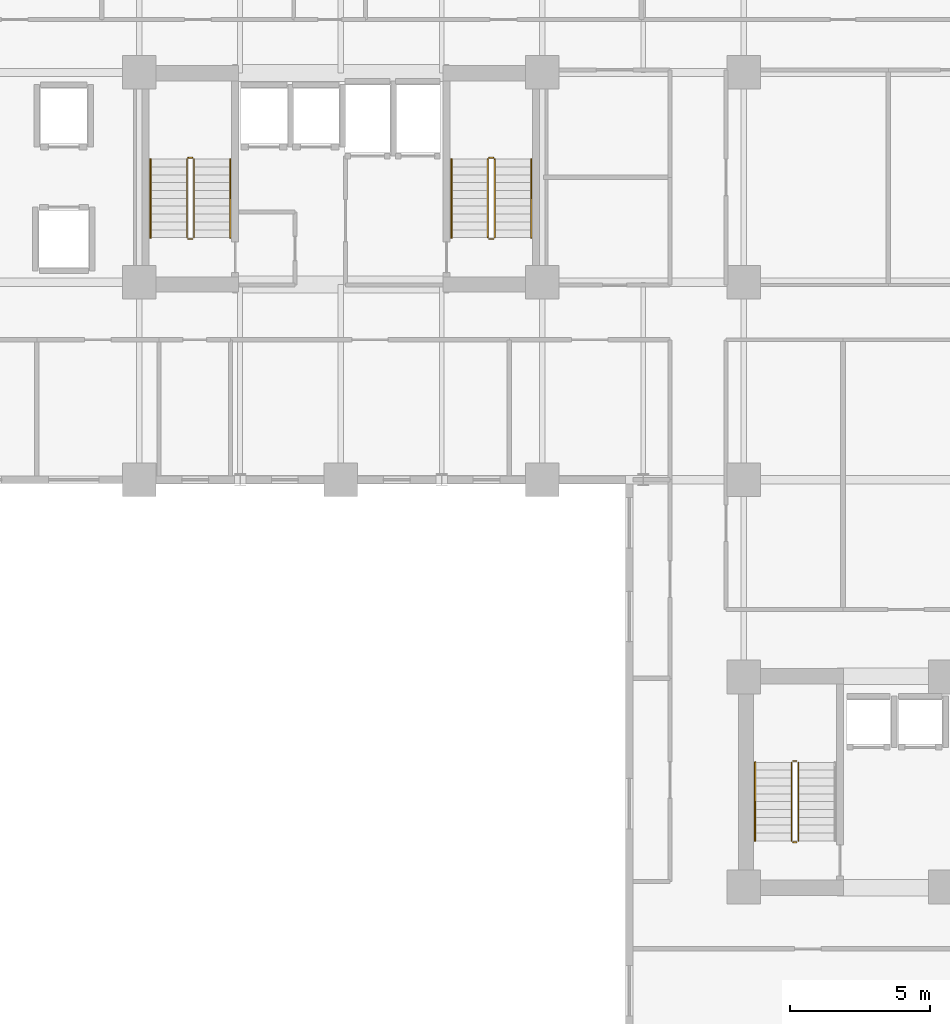
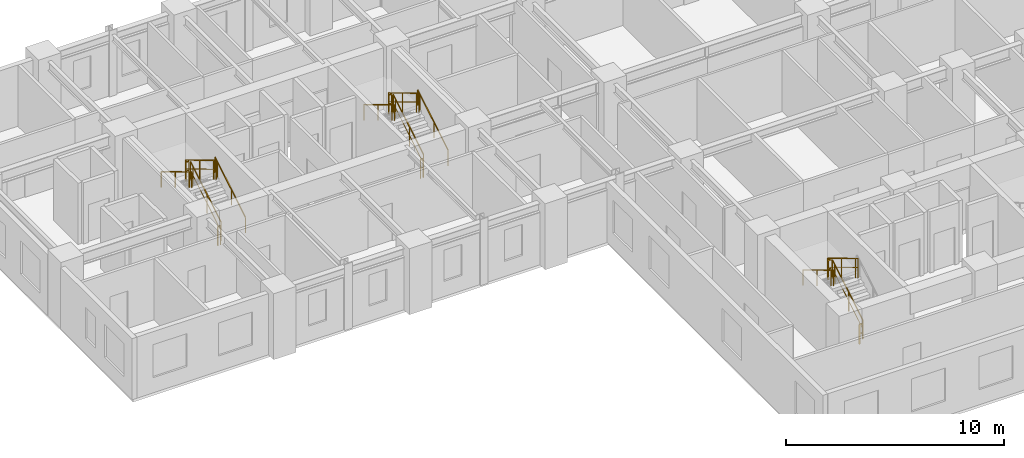
# One storey, part 9 of 11: 17 railings.
"""IFC4 building model written with IfcOpenShell, lengths in metres."""

from ifc_helpers import new_model, si_unit, direction, frame, origin, origin_2d, place, context, subcontext, project, spatial, rectangle, extrude, material, type_object, element, save


model = new_model("IFC4")

# Units and contexts
model_context = context("Model", 3, precision=1e-05, world=origin(), true_north=direction((0.0, 1.0)))
body_context = subcontext(model_context, "Body", "Model", "MODEL_VIEW")
ifc_project = project(units=[si_unit("LENGTHUNIT", "METRE"), si_unit("AREAUNIT", "SQUARE_METRE"), si_unit("VOLUMEUNIT", "CUBIC_METRE"), si_unit("PLANEANGLEUNIT", "RADIAN"), si_unit("MASSUNIT", "GRAM", prefix="KILO")], contexts=[model_context])

# Site, building, storey
site_placement = place(None, origin())
site = spatial("IfcSite", under=ifc_project, at=site_placement, CompositionType="ELEMENT")
building_placement = place(site_placement, origin())
building = spatial("IfcBuilding", under=site, at=building_placement, Name="Kaliganga Portal Commons", CompositionType="ELEMENT")
storey_placement = place(building_placement, frame((0.0, 0.0, 86.0)))
storey = spatial("IfcBuildingStorey", under=building, at=storey_placement, Name="L21", CompositionType="ELEMENT", Elevation=86.0)

# Railings
ifc_material_1 = material(Name="Galvanized Painted Steel Balustrade", Category="steel")
railing_type_1 = type_object("IfcRailingType", Name="RLG-STAIR-GRD", PredefinedType="GUARDRAIL", material=ifc_material_1)
railing_1_placement = place(storey_placement, frame((16.35009765625, 30.25, 0.168212890625)))
element("IfcRailing", 1, at=railing_1_placement, inside=storey, type_object=railing_type_1, Name="L21 ST-A1 stair guard 1", PredefinedType="GUARDRAIL", context=body_context, shape_type="SweptSolid", body=[
    extrude(rectangle(XDim=0.048095703125, YDim=0.048095703125, at=origin_2d()), frame((0.0, 0.0, 1.072021484375), z_axis=(0.0, 0.857242210791, 0.514913383045), x_axis=(-1.0, 0.0, 0.0)), (0.0, 0.0, 1.0), 3.266357421875),
    extrude(rectangle(XDim=0.028076171875, YDim=0.028076171875, at=origin_2d()), frame((0.0, 0.0, 0.572021484375), z_axis=(0.0, 0.857242210791, 0.514913383045), x_axis=(-1.0, 0.0, 0.0)), (0.0, 0.0, 1.0), 3.266357421875),
    extrude(rectangle(XDim=0.0419921875, YDim=0.0419921875, at=origin_2d()), origin(), (0.0, 0.0, 1.0), 1.052001953125),
    extrude(rectangle(XDim=0.0419921875, YDim=0.0419921875, at=origin_2d()), frame((0.0, 1.285888671875, 0.7724609375)), (0.0, 0.0, 1.0), 1.052001953125),
    extrude(rectangle(XDim=0.0419921875, YDim=0.0419921875, at=origin_2d()), frame((0.0, 2.57177734375, 1.544677734375)), (0.0, 0.0, 1.0), 1.052001953125),
    extrude(rectangle(XDim=0.0419921875, YDim=0.0419921875, at=origin_2d()), frame((0.0, 2.800048828125, 1.681884765625)), (0.0, 0.0, 1.0), 1.052001953125),
])
railing_2_placement = place(storey_placement, frame((16.300048828125, 33.10009765625, 1.85009765625)))
element("IfcRailing", 2, at=railing_2_placement, inside=storey, type_object=railing_type_1, Name="L21 ST-A1 stair guard 2", PredefinedType="GUARDRAIL", context=body_context, shape_type="SweptSolid", body=[
    extrude(rectangle(XDim=0.048095703125, YDim=0.048095703125, at=origin_2d()), frame((0.0, 0.0, 1.076171875), z_axis=(-1.0, 0.0, 0.0), x_axis=(0.0, -1.0, 0.0)), (0.0, 0.0, 1.0), 0.150146484375),
    extrude(rectangle(XDim=0.028076171875, YDim=0.028076171875, at=origin_2d()), frame((0.0, 0.0, 0.572021484375), z_axis=(-1.0, 0.0, 0.0), x_axis=(0.0, -1.0, 0.0)), (0.0, 0.0, 1.0), 0.150146484375),
    extrude(rectangle(XDim=0.0419921875, YDim=0.0419921875, at=origin_2d()), origin(), (0.0, 0.0, 1.0), 1.052001953125),
    extrude(rectangle(XDim=0.0419921875, YDim=0.0419921875, at=origin_2d()), frame((-0.150146484375, 0.0, 0.0)), (0.0, 0.0, 1.0), 1.052001953125),
])
railing_3_placement = place(storey_placement, frame((16.10009765625, 33.050048828125, 2.01806640625)))
element("IfcRailing", 3, at=railing_3_placement, inside=storey, type_object=railing_type_1, Name="L21 ST-A1 stair guard 3", PredefinedType="GUARDRAIL", context=body_context, shape_type="SweptSolid", body=[
    extrude(rectangle(XDim=0.048095703125, YDim=0.048095703125, at=origin_2d()), frame((0.0, 0.0, 1.072021484375), z_axis=(0.0, -0.857242210791, 0.514913383045), x_axis=(1.0, 0.0, 0.0)), (0.0, 0.0, 1.0), 3.266357421875),
    extrude(rectangle(XDim=0.028076171875, YDim=0.028076171875, at=origin_2d()), frame((0.0, 0.0, 0.572021484375), z_axis=(0.0, -0.857242210791, 0.514913383045), x_axis=(1.0, 0.0, 0.0)), (0.0, 0.0, 1.0), 3.266357421875),
    extrude(rectangle(XDim=0.0419921875, YDim=0.0419921875, at=origin_2d()), origin(), (0.0, 0.0, 1.0), 1.052001953125),
    extrude(rectangle(XDim=0.0419921875, YDim=0.0419921875, at=origin_2d()), frame((0.0, -1.285888671875, 0.7724609375)), (0.0, 0.0, 1.0), 1.052001953125),
    extrude(rectangle(XDim=0.0419921875, YDim=0.0419921875, at=origin_2d()), frame((0.0, -2.57177734375, 1.544677734375)), (0.0, 0.0, 1.0), 1.052001953125),
    extrude(rectangle(XDim=0.0419921875, YDim=0.0419921875, at=origin_2d()), frame((0.0, -2.800048828125, 1.681884765625)), (0.0, 0.0, 1.0), 1.052001953125),
])
railing_4_placement = place(storey_placement, frame((16.300048828125, 30.199951171875, 0.0)))
element("IfcRailing", 4, at=railing_4_placement, inside=storey, type_object=railing_type_1, Name="L21 ST-A1 stair guard 4", PredefinedType="GUARDRAIL", context=body_context, shape_type="SweptSolid", body=[
    extrude(rectangle(XDim=0.048095703125, YDim=0.048095703125, at=origin_2d()), frame((0.0, 0.0, 1.076171875), z_axis=(-1.0, 0.0, 0.0), x_axis=(0.0, -1.0, 0.0)), (0.0, 0.0, 1.0), 0.150146484375),
    extrude(rectangle(XDim=0.028076171875, YDim=0.028076171875, at=origin_2d()), frame((0.0, 0.0, 0.572021484375), z_axis=(-1.0, 0.0, 0.0), x_axis=(0.0, -1.0, 0.0)), (0.0, 0.0, 1.0), 0.150146484375),
    extrude(rectangle(XDim=0.0419921875, YDim=0.0419921875, at=origin_2d()), origin(), (0.0, 0.0, 1.0), 1.052001953125),
    extrude(rectangle(XDim=0.0419921875, YDim=0.0419921875, at=origin_2d()), frame((-0.150146484375, 0.0, 0.0)), (0.0, 0.0, 1.0), 1.052001953125),
])
railing_5_placement = place(storey_placement, frame((27.10009765625, 30.25, 0.168212890625)))
element("IfcRailing", 5, at=railing_5_placement, inside=storey, type_object=railing_type_1, Name="L21 ST-A2 stair guard 1", PredefinedType="GUARDRAIL", context=body_context, shape_type="SweptSolid", body=[
    extrude(rectangle(XDim=0.048095703125, YDim=0.048095703125, at=origin_2d()), frame((0.0, 0.0, 1.072021484375), z_axis=(0.0, 0.857242210791, 0.514913383045), x_axis=(-1.0, 0.0, 0.0)), (0.0, 0.0, 1.0), 3.266357421875),
    extrude(rectangle(XDim=0.028076171875, YDim=0.028076171875, at=origin_2d()), frame((0.0, 0.0, 0.572021484375), z_axis=(0.0, 0.857242210791, 0.514913383045), x_axis=(-1.0, 0.0, 0.0)), (0.0, 0.0, 1.0), 3.266357421875),
    extrude(rectangle(XDim=0.0419921875, YDim=0.0419921875, at=origin_2d()), origin(), (0.0, 0.0, 1.0), 1.052001953125),
    extrude(rectangle(XDim=0.0419921875, YDim=0.0419921875, at=origin_2d()), frame((0.0, 1.285888671875, 0.7724609375)), (0.0, 0.0, 1.0), 1.052001953125),
    extrude(rectangle(XDim=0.0419921875, YDim=0.0419921875, at=origin_2d()), frame((0.0, 2.57177734375, 1.544677734375)), (0.0, 0.0, 1.0), 1.052001953125),
    extrude(rectangle(XDim=0.0419921875, YDim=0.0419921875, at=origin_2d()), frame((0.0, 2.800048828125, 1.681884765625)), (0.0, 0.0, 1.0), 1.052001953125),
])
railing_6_placement = place(storey_placement, frame((27.050048828125, 33.10009765625, 1.85009765625)))
element("IfcRailing", 6, at=railing_6_placement, inside=storey, type_object=railing_type_1, Name="L21 ST-A2 stair guard 2", PredefinedType="GUARDRAIL", context=body_context, shape_type="SweptSolid", body=[
    extrude(rectangle(XDim=0.048095703125, YDim=0.048095703125, at=origin_2d()), frame((0.0, 0.0, 1.076171875), z_axis=(-1.0, 0.0, 0.0), x_axis=(0.0, -1.0, 0.0)), (0.0, 0.0, 1.0), 0.150146484375),
    extrude(rectangle(XDim=0.028076171875, YDim=0.028076171875, at=origin_2d()), frame((0.0, 0.0, 0.572021484375), z_axis=(-1.0, 0.0, 0.0), x_axis=(0.0, -1.0, 0.0)), (0.0, 0.0, 1.0), 0.150146484375),
    extrude(rectangle(XDim=0.0419921875, YDim=0.0419921875, at=origin_2d()), origin(), (0.0, 0.0, 1.0), 1.052001953125),
    extrude(rectangle(XDim=0.0419921875, YDim=0.0419921875, at=origin_2d()), frame((-0.150146484375, 0.0, 0.0)), (0.0, 0.0, 1.0), 1.052001953125),
])
railing_7_placement = place(storey_placement, frame((26.85009765625, 33.050048828125, 2.01806640625)))
element("IfcRailing", 7, at=railing_7_placement, inside=storey, type_object=railing_type_1, Name="L21 ST-A2 stair guard 3", PredefinedType="GUARDRAIL", context=body_context, shape_type="SweptSolid", body=[
    extrude(rectangle(XDim=0.048095703125, YDim=0.048095703125, at=origin_2d()), frame((0.0, 0.0, 1.072021484375), z_axis=(0.0, -0.857242210791, 0.514913383045), x_axis=(1.0, 0.0, 0.0)), (0.0, 0.0, 1.0), 3.266357421875),
    extrude(rectangle(XDim=0.028076171875, YDim=0.028076171875, at=origin_2d()), frame((0.0, 0.0, 0.572021484375), z_axis=(0.0, -0.857242210791, 0.514913383045), x_axis=(1.0, 0.0, 0.0)), (0.0, 0.0, 1.0), 3.266357421875),
    extrude(rectangle(XDim=0.0419921875, YDim=0.0419921875, at=origin_2d()), origin(), (0.0, 0.0, 1.0), 1.052001953125),
    extrude(rectangle(XDim=0.0419921875, YDim=0.0419921875, at=origin_2d()), frame((0.0, -1.285888671875, 0.7724609375)), (0.0, 0.0, 1.0), 1.052001953125),
    extrude(rectangle(XDim=0.0419921875, YDim=0.0419921875, at=origin_2d()), frame((0.0, -2.57177734375, 1.544677734375)), (0.0, 0.0, 1.0), 1.052001953125),
    extrude(rectangle(XDim=0.0419921875, YDim=0.0419921875, at=origin_2d()), frame((0.0, -2.800048828125, 1.681884765625)), (0.0, 0.0, 1.0), 1.052001953125),
])
railing_8_placement = place(storey_placement, frame((27.050048828125, 30.199951171875, 0.0)))
element("IfcRailing", 8, at=railing_8_placement, inside=storey, type_object=railing_type_1, Name="L21 ST-A2 stair guard 4", PredefinedType="GUARDRAIL", context=body_context, shape_type="SweptSolid", body=[
    extrude(rectangle(XDim=0.048095703125, YDim=0.048095703125, at=origin_2d()), frame((0.0, 0.0, 1.076171875), z_axis=(-1.0, 0.0, 0.0), x_axis=(0.0, -1.0, 0.0)), (0.0, 0.0, 1.0), 0.150146484375),
    extrude(rectangle(XDim=0.028076171875, YDim=0.028076171875, at=origin_2d()), frame((0.0, 0.0, 0.572021484375), z_axis=(-1.0, 0.0, 0.0), x_axis=(0.0, -1.0, 0.0)), (0.0, 0.0, 1.0), 0.150146484375),
    extrude(rectangle(XDim=0.0419921875, YDim=0.0419921875, at=origin_2d()), origin(), (0.0, 0.0, 1.0), 1.052001953125),
    extrude(rectangle(XDim=0.0419921875, YDim=0.0419921875, at=origin_2d()), frame((-0.150146484375, 0.0, 0.0)), (0.0, 0.0, 1.0), 1.052001953125),
])
railing_9_placement = place(storey_placement, frame((37.949951171875, 8.699951171875, 0.168212890625)))
element("IfcRailing", 9, at=railing_9_placement, inside=storey, type_object=railing_type_1, Name="L21 ST-B1 stair guard 1", PredefinedType="GUARDRAIL", context=body_context, shape_type="SweptSolid", body=[
    extrude(rectangle(XDim=0.048095703125, YDim=0.048095703125, at=origin_2d()), frame((0.0, 0.0, 1.072021484375), z_axis=(0.0, 0.857242210791, 0.514913383045), x_axis=(-1.0, 0.0, 0.0)), (0.0, 0.0, 1.0), 3.266357421875),
    extrude(rectangle(XDim=0.028076171875, YDim=0.028076171875, at=origin_2d()), frame((0.0, 0.0, 0.572021484375), z_axis=(0.0, 0.857242210791, 0.514913383045), x_axis=(-1.0, 0.0, 0.0)), (0.0, 0.0, 1.0), 3.266357421875),
    extrude(rectangle(XDim=0.0419921875, YDim=0.0419921875, at=origin_2d()), origin(), (0.0, 0.0, 1.0), 1.052001953125),
    extrude(rectangle(XDim=0.0419921875, YDim=0.0419921875, at=origin_2d()), frame((0.0, 1.285888671875, 0.7724609375)), (0.0, 0.0, 1.0), 1.052001953125),
    extrude(rectangle(XDim=0.0419921875, YDim=0.0419921875, at=origin_2d()), frame((0.0, 2.57177734375, 1.544677734375)), (0.0, 0.0, 1.0), 1.052001953125),
    extrude(rectangle(XDim=0.0419921875, YDim=0.0419921875, at=origin_2d()), frame((0.0, 2.800048828125, 1.681884765625)), (0.0, 0.0, 1.0), 1.052001953125),
])
railing_10_placement = place(storey_placement, frame((37.89990234375, 11.550048828125, 1.85009765625)))
element("IfcRailing", 10, at=railing_10_placement, inside=storey, type_object=railing_type_1, Name="L21 ST-B1 stair guard 2", PredefinedType="GUARDRAIL", context=body_context, shape_type="SweptSolid", body=[
    extrude(rectangle(XDim=0.048095703125, YDim=0.048095703125, at=origin_2d()), frame((0.0, 0.0, 1.076171875), z_axis=(-1.0, 0.0, 0.0), x_axis=(0.0, -1.0, 0.0)), (0.0, 0.0, 1.0), 0.14990234375),
    extrude(rectangle(XDim=0.028076171875, YDim=0.028076171875, at=origin_2d()), frame((0.0, 0.0, 0.572021484375), z_axis=(-1.0, 0.0, 0.0), x_axis=(0.0, -1.0, 0.0)), (0.0, 0.0, 1.0), 0.14990234375),
    extrude(rectangle(XDim=0.0419921875, YDim=0.0419921875, at=origin_2d()), frame((-0.14990234375, 0.0, 0.0)), (0.0, 0.0, 1.0), 1.052001953125),
])
railing_11_placement = place(storey_placement, frame((37.699951171875, 11.5, 2.01806640625)))
element("IfcRailing", 11, at=railing_11_placement, inside=storey, type_object=railing_type_1, Name="L21 ST-B1 stair guard 3", PredefinedType="GUARDRAIL", context=body_context, shape_type="SweptSolid", body=[
    extrude(rectangle(XDim=0.048095703125, YDim=0.048095703125, at=origin_2d()), frame((0.0, 0.0, 1.072021484375), z_axis=(0.0, -0.857242210791, 0.514913383045), x_axis=(1.0, 0.0, 0.0)), (0.0, 0.0, 1.0), 3.266357421875),
    extrude(rectangle(XDim=0.028076171875, YDim=0.028076171875, at=origin_2d()), frame((0.0, 0.0, 0.572021484375), z_axis=(0.0, -0.857242210791, 0.514913383045), x_axis=(1.0, 0.0, 0.0)), (0.0, 0.0, 1.0), 3.266357421875),
    extrude(rectangle(XDim=0.0419921875, YDim=0.0419921875, at=origin_2d()), origin(), (0.0, 0.0, 1.0), 1.052001953125),
    extrude(rectangle(XDim=0.0419921875, YDim=0.0419921875, at=origin_2d()), frame((0.0, -1.285888671875, 0.7724609375)), (0.0, 0.0, 1.0), 1.052001953125),
    extrude(rectangle(XDim=0.0419921875, YDim=0.0419921875, at=origin_2d()), frame((0.0, -2.57177734375, 1.544677734375)), (0.0, 0.0, 1.0), 1.052001953125),
    extrude(rectangle(XDim=0.0419921875, YDim=0.0419921875, at=origin_2d()), frame((0.0, -2.800048828125, 1.681884765625)), (0.0, 0.0, 1.0), 1.052001953125),
])
railing_12_placement = place(storey_placement, frame((37.89990234375, 8.64990234375, 0.0)))
element("IfcRailing", 12, at=railing_12_placement, inside=storey, type_object=railing_type_1, Name="L21 ST-B1 stair guard 4", PredefinedType="GUARDRAIL", context=body_context, shape_type="SweptSolid", body=[
    extrude(rectangle(XDim=0.048095703125, YDim=0.048095703125, at=origin_2d()), frame((0.0, 0.0, 1.076171875), z_axis=(-1.0, 0.0, 0.0), x_axis=(0.0, -1.0, 0.0)), (0.0, 0.0, 1.0), 0.14990234375),
    extrude(rectangle(XDim=0.028076171875, YDim=0.028076171875, at=origin_2d()), frame((0.0, 0.0, 0.572021484375), z_axis=(-1.0, 0.0, 0.0), x_axis=(0.0, -1.0, 0.0)), (0.0, 0.0, 1.0), 0.14990234375),
    extrude(rectangle(XDim=0.0419921875, YDim=0.0419921875, at=origin_2d()), frame((-0.14990234375, 0.0, 0.0)), (0.0, 0.0, 1.0), 1.052001953125),
])
ifc_material_2 = material(Name="Brushed Stainless Steel 316", Category="steel")
railing_type_2 = type_object("IfcRailingType", Name="RLG-STAIR-HR", PredefinedType="HANDRAIL", material=ifc_material_2)
railing_13_placement = place(storey_placement, frame((17.64990234375, 30.25, 0.168212890625)))
element("IfcRailing", 13, at=railing_13_placement, inside=storey, type_object=railing_type_2, Name="L21 ST-A1 stair handrail 1", PredefinedType="HANDRAIL", context=body_context, shape_type="SweptSolid", body=[
    extrude(rectangle(XDim=0.048095703125, YDim=0.048095703125, at=origin_2d()), frame((0.0, 0.0, 0.871826171875), z_axis=(0.0, 0.857242210791, 0.514913383045), x_axis=(-1.0, 0.0, 0.0)), (0.0, 0.0, 1.0), 3.266357421875),
    extrude(rectangle(XDim=0.0419921875, YDim=0.0419921875, at=origin_2d()), origin(), (0.0, 0.0, 1.0), 0.851806640625),
    extrude(rectangle(XDim=0.0419921875, YDim=0.0419921875, at=origin_2d()), frame((0.0, 1.285888671875, 0.7724609375)), (0.0, 0.0, 1.0), 0.851806640625),
    extrude(rectangle(XDim=0.0419921875, YDim=0.0419921875, at=origin_2d()), frame((0.0, 2.57177734375, 1.544677734375)), (0.0, 0.0, 1.0), 0.851806640625),
    extrude(rectangle(XDim=0.0419921875, YDim=0.0419921875, at=origin_2d()), frame((0.0, 2.800048828125, 1.681884765625)), (0.0, 0.0, 1.0), 0.851806640625),
])
railing_14_placement = place(storey_placement, frame((14.800048828125, 33.050048828125, 2.01806640625)))
element("IfcRailing", 14, at=railing_14_placement, inside=storey, type_object=railing_type_2, Name="L21 ST-A1 stair handrail 2", PredefinedType="HANDRAIL", context=body_context, shape_type="SweptSolid", body=[
    extrude(rectangle(XDim=0.048095703125, YDim=0.048095703125, at=origin_2d()), frame((0.0, 0.0, 0.871826171875), z_axis=(0.0, -0.857242210791, 0.514913383045), x_axis=(1.0, 0.0, 0.0)), (0.0, 0.0, 1.0), 3.266357421875),
    extrude(rectangle(XDim=0.0419921875, YDim=0.0419921875, at=origin_2d()), origin(), (0.0, 0.0, 1.0), 0.851806640625),
    extrude(rectangle(XDim=0.0419921875, YDim=0.0419921875, at=origin_2d()), frame((0.0, -1.285888671875, 0.7724609375)), (0.0, 0.0, 1.0), 0.851806640625),
    extrude(rectangle(XDim=0.0419921875, YDim=0.0419921875, at=origin_2d()), frame((0.0, -2.57177734375, 1.544677734375)), (0.0, 0.0, 1.0), 0.851806640625),
    extrude(rectangle(XDim=0.0419921875, YDim=0.0419921875, at=origin_2d()), frame((0.0, -2.800048828125, 1.681884765625)), (0.0, 0.0, 1.0), 0.851806640625),
])
railing_15_placement = place(storey_placement, frame((28.39990234375, 30.25, 0.168212890625)))
element("IfcRailing", 15, at=railing_15_placement, inside=storey, type_object=railing_type_2, Name="L21 ST-A2 stair handrail 1", PredefinedType="HANDRAIL", context=body_context, shape_type="SweptSolid", body=[
    extrude(rectangle(XDim=0.048095703125, YDim=0.048095703125, at=origin_2d()), frame((0.0, 0.0, 0.871826171875), z_axis=(0.0, 0.857242210791, 0.514913383045), x_axis=(-1.0, 0.0, 0.0)), (0.0, 0.0, 1.0), 3.266357421875),
    extrude(rectangle(XDim=0.0419921875, YDim=0.0419921875, at=origin_2d()), origin(), (0.0, 0.0, 1.0), 0.851806640625),
    extrude(rectangle(XDim=0.0419921875, YDim=0.0419921875, at=origin_2d()), frame((0.0, 1.285888671875, 0.7724609375)), (0.0, 0.0, 1.0), 0.851806640625),
    extrude(rectangle(XDim=0.0419921875, YDim=0.0419921875, at=origin_2d()), frame((0.0, 2.57177734375, 1.544677734375)), (0.0, 0.0, 1.0), 0.851806640625),
    extrude(rectangle(XDim=0.0419921875, YDim=0.0419921875, at=origin_2d()), frame((0.0, 2.800048828125, 1.681884765625)), (0.0, 0.0, 1.0), 0.851806640625),
])
for number, where, name in (
    (16, (25.550048828125, 33.050048828125, 2.01806640625), "L21 ST-A2 stair handrail 2"),
    (17, (36.39990234375, 11.5, 2.01806640625), "L21 ST-B1 stair handrail 2"),
):
    element("IfcRailing", number, at=place(storey_placement, frame(where)), inside=storey, type_object=railing_type_2, Name=name, PredefinedType="HANDRAIL", context=body_context, shape_type="SweptSolid", body=[
        extrude(rectangle(XDim=0.048095703125, YDim=0.048095703125, at=origin_2d()), frame((0.0, 0.0, 0.871826171875), z_axis=(0.0, -0.857242210791, 0.514913383045), x_axis=(1.0, 0.0, 0.0)), (0.0, 0.0, 1.0), 3.266357421875),
        extrude(rectangle(XDim=0.0419921875, YDim=0.0419921875, at=origin_2d()), origin(), (0.0, 0.0, 1.0), 0.851806640625),
        extrude(rectangle(XDim=0.0419921875, YDim=0.0419921875, at=origin_2d()), frame((0.0, -1.285888671875, 0.7724609375)), (0.0, 0.0, 1.0), 0.851806640625),
        extrude(rectangle(XDim=0.0419921875, YDim=0.0419921875, at=origin_2d()), frame((0.0, -2.57177734375, 1.544677734375)), (0.0, 0.0, 1.0), 0.851806640625),
        extrude(rectangle(XDim=0.0419921875, YDim=0.0419921875, at=origin_2d()), frame((0.0, -2.800048828125, 1.681884765625)), (0.0, 0.0, 1.0), 0.851806640625),
    ])

save(model, "model.ifc")
